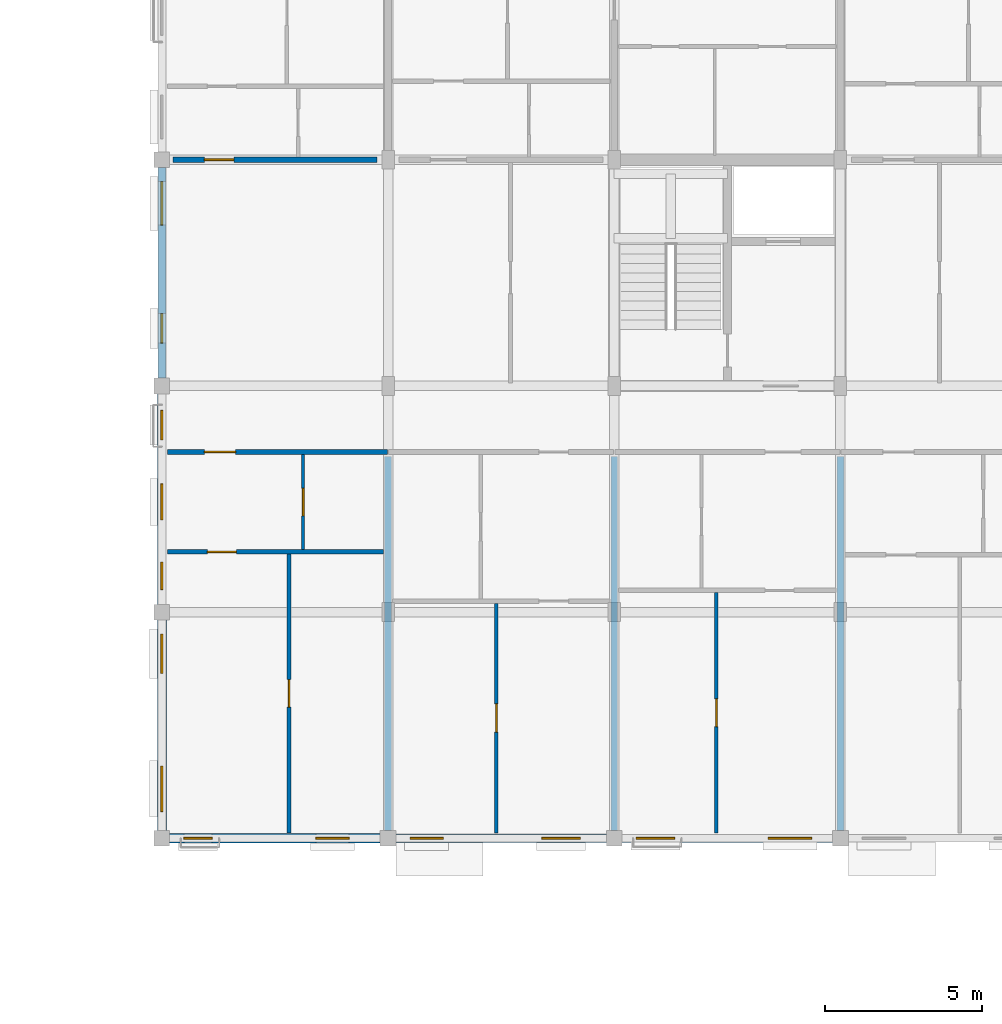
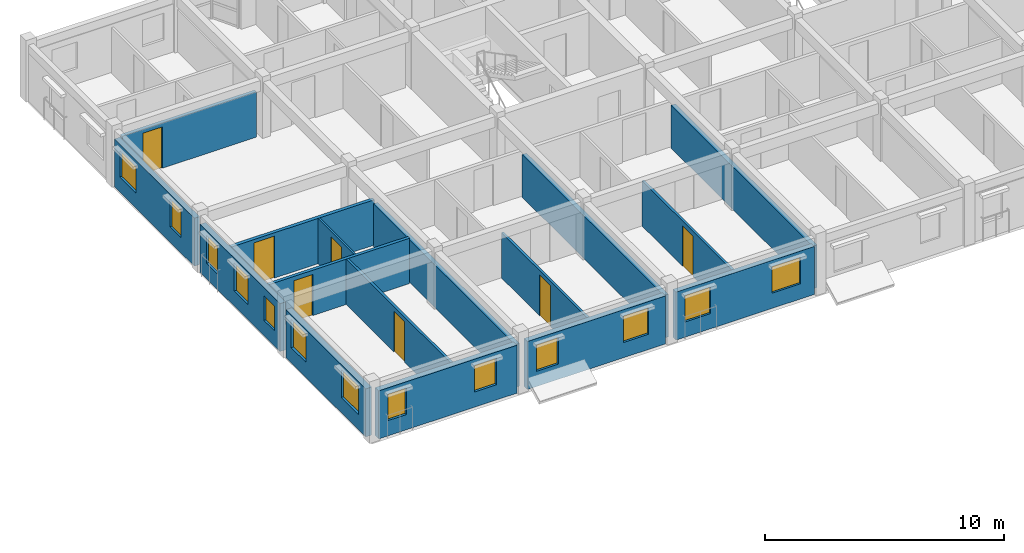
# One storey, part 26 of 38: 16 walls, 13 windows, 7 doors, 20 openings.
"""IFC4 building model written with IfcOpenShell, lengths in metres."""

from ifc_helpers import new_model, si_unit, direction, frame, frame_2d, origin, place, context, subcontext, project, spatial, rectangle, extrude, material, layer, layer_set, type_object, element, fill, save


model = new_model("IFC4")

# Units and contexts
model_context = context("Model", 3, precision=1e-05, world=origin(), true_north=direction((0.0, 1.0)))
body_context = subcontext(model_context, "Body", "Model", "MODEL_VIEW")
ifc_project = project(units=[si_unit("LENGTHUNIT", "METRE"), si_unit("AREAUNIT", "SQUARE_METRE"), si_unit("VOLUMEUNIT", "CUBIC_METRE"), si_unit("PLANEANGLEUNIT", "RADIAN"), si_unit("MASSUNIT", "GRAM", prefix="KILO"), si_unit("THERMODYNAMICTEMPERATUREUNIT", "KELVIN"), si_unit("POWERUNIT", "WATT")], contexts=[model_context])

# Site, building, storey
site_placement = place(None, origin())
site = spatial("IfcSite", under=ifc_project, at=site_placement, CompositionType="ELEMENT")
building_placement = place(site_placement, origin())
building = spatial("IfcBuilding", under=site, at=building_placement, Name="Tavuni Mirador Residences", CompositionType="ELEMENT")
storey_placement = place(building_placement, frame((0.0, 0.0, 32.85009765625)))
storey = spatial("IfcBuildingStorey", under=building, at=storey_placement, Name="L10", CompositionType="ELEMENT", Elevation=32.85009765625)

# Wall, opening, door
ifc_material_1 = material(Name="Precast concrete C40/50", Category="concrete")
ifc_layer_1 = layer(ifc_material_1, 0.1650390625, Name="Precast concrete C40/50", Category="concrete")
ifc_layer_set_1 = layer_set([ifc_layer_1], Name="Precast concrete C40/50")
wall_type_1 = type_object("IfcWallType", Name="WT-CORR165", PredefinedType="PARTITIONING", material=ifc_layer_set_1)
wall_1_placement = place(storey_placement, frame((10.97509765625, 156.300048828125, 0.0), z_axis=(0.0, 0.0, 1.0), x_axis=(1.0, 0.0, 0.0)))
wall_1 = element("IfcWall", 1, at=wall_1_placement, inside=storey, type_object=wall_type_1, Name="CORW-BLK-C-L10-0-00", PredefinedType="PARTITIONING", context=body_context, shape_type="SweptSolid", body=[
    extrude(rectangle(XDim=7.0048828125, YDim=0.1650390625, at=frame_2d((3.50244140625, 0.0))), origin(), (0.0, 0.0, 1.0), 2.31982421875),
])
opening_1_placement = place(wall_1_placement, frame((1.175048828125, 0.0, 0.0)))
opening_1 = element("IfcOpeningElement", 2, at=opening_1_placement, cuts=wall_1, Name="Opening D-03", PredefinedType="OPENING", context=body_context, shape_type="SweptSolid", body=[
    extrude(rectangle(XDim=1.0, YDim=2.14990234375, at=frame_2d((0.5, 1.074951171875))), frame((0.0, 0.092529296875, 0.0), z_axis=(0.0, -1.0, 0.0), x_axis=(1.0, 0.0, 0.0)), (0.0, 0.0, 1.0), 0.18505859375),
])
ifc_material_2 = material(Name="Solid core iroko timber", Category="wood")
door_type_1 = type_object("IfcDoorType", Name="DT-FD60-1000", OperationType="NOTDEFINED", PredefinedType="DOOR", material=ifc_material_2)
door_1_placement = place(opening_1_placement, origin())
door_1 = element("IfcDoor", 3, at=door_1_placement, inside=storey, type_object=door_type_1, Name="DR-2763", OperationType="SINGLE_SWING_RIGHT", OverallHeight=2.14990234375, OverallWidth=1.0, PredefinedType="DOOR", context=body_context, shape_type="SweptSolid", body=[
    extrude(rectangle(XDim=1.0, YDim=2.14990234375, at=frame_2d((0.5, 1.074951171875))), frame((0.0, 0.02490234375, 0.0), z_axis=(0.0, -1.0, 0.0), x_axis=(1.0, 0.0, 0.0)), (0.0, 0.0, 1.0), 0.050048828125),
])
fill(opening_1, door_1)

wall_2_placement = place(storey_placement, frame((11.14990234375, 165.60009765625, 0.0), z_axis=(0.0, 0.0, 1.0), x_axis=(1.0, 0.0, 0.0)))
wall_2 = element("IfcWall", 4, at=wall_2_placement, inside=storey, type_object=wall_type_1, Name="CORW-BLK-C-L10-1-00", PredefinedType="PARTITIONING", context=body_context, shape_type="SweptSolid", body=[
    extrude(rectangle(XDim=6.5, YDim=0.1650390625, at=frame_2d((3.25, 0.0))), origin(), (0.0, 0.0, 1.0), 2.31982421875),
])
opening_2_placement = place(wall_2_placement, frame((1.0, 0.0, 0.0)))
opening_2 = element("IfcOpeningElement", 5, at=opening_2_placement, cuts=wall_2, Name="Opening D-19", PredefinedType="OPENING", context=body_context, shape_type="SweptSolid", body=[
    extrude(rectangle(XDim=0.93994140625, YDim=2.1201171875, at=frame_2d((0.469970703125, 1.06005859375))), frame((0.0, 0.092529296875, 0.0), z_axis=(0.0, -1.0, 0.0), x_axis=(1.0, 0.0, 0.0)), (0.0, 0.0, 1.0), 0.18505859375),
])
door_type_2 = type_object("IfcDoorType", Name="DT-FD60-940", OperationType="NOTDEFINED", PredefinedType="DOOR", material=ifc_material_2)
door_2_placement = place(opening_2_placement, origin())
door_2 = element("IfcDoor", 6, at=door_2_placement, inside=storey, type_object=door_type_2, Name="DR-2770", OperationType="SINGLE_SWING_LEFT", OverallHeight=2.1201171875, OverallWidth=0.93994140625, PredefinedType="DOOR", context=body_context, shape_type="SweptSolid", body=[
    extrude(rectangle(XDim=0.93994140625, YDim=2.1201171875, at=frame_2d((0.469970703125, 1.06005859375))), frame((0.0, 0.02490234375, 0.0), z_axis=(0.0, -1.0, 0.0), x_axis=(1.0, 0.0, 0.0)), (0.0, 0.0, 1.0), 0.050048828125),
])
fill(opening_2, door_2)

# Wall, openings, windows
ifc_material_3 = material(Name="Sgraffito lime-rendered precast concrete C40/50", Category="concrete")
ifc_layer_2 = layer(ifc_material_3, 0.2548828125, Name="Sgraffito lime-rendered precast concrete C40/50", Category="concrete")
ifc_layer_set_2 = layer_set([ifc_layer_2], Name="Sgraffito lime-rendered precast concrete C40/50")
wall_type_2 = type_object("IfcWallType", Name="WT-EXT-PC255", PredefinedType="SOLIDWALL", material=ifc_layer_set_2)
wall_3_placement = place(storey_placement, frame((25.449951171875, 144.0, 0.0), z_axis=(0.0, 0.0, 1.0), x_axis=(1.0, 0.0, 0.0)))
wall_3 = element("IfcWall", 7, at=wall_3_placement, inside=storey, type_object=wall_type_2, Name="EW-BLK-C-L10-S02", PredefinedType="SOLIDWALL", context=body_context, shape_type="SweptSolid", body=[
    extrude(rectangle(XDim=6.699951171875, YDim=0.2548828125, at=frame_2d((3.35009765625, 0.0))), origin(), (0.0, 0.0, 1.0), 2.454833984375),
])
opening_3_placement = place(wall_3_placement, frame((0.449951171875, 0.0, 0.780029296875)))
opening_3 = element("IfcOpeningElement", 8, at=opening_3_placement, cuts=wall_3, Name="Opening WN-21", PredefinedType="OPENING", context=body_context, shape_type="SweptSolid", body=[
    extrude(rectangle(XDim=1.219970703125, YDim=1.360107421875, at=frame_2d((0.60986328125, 0.68017578125))), frame((0.0, 0.137451171875, 0.0), z_axis=(0.0, -1.0, 0.0), x_axis=(1.0, 0.0, 0.0)), (0.0, 0.0, 1.0), 0.27490234375),
])
opening_4_placement = place(wall_3_placement, frame((4.64990234375, 0.0, 0.780029296875)))
opening_4 = element("IfcOpeningElement", 9, at=opening_4_placement, cuts=wall_3, Name="Opening WN-23", PredefinedType="OPENING", context=body_context, shape_type="SweptSolid", body=[
    extrude(rectangle(XDim=1.3798828125, YDim=1.360107421875, at=frame_2d((0.68994140625, 0.68017578125))), frame((0.0, 0.137451171875, 0.0), z_axis=(0.0, -1.0, 0.0), x_axis=(1.0, 0.0, 0.0)), (0.0, 0.0, 1.0), 0.27490234375),
])
ifc_material_4 = material(Name="Laminated solar-control glass", Category="glass")
window_type_1 = type_object("IfcWindowType", Name="WNT-21", PartitioningType="SINGLE_PANEL", PredefinedType="WINDOW", material=ifc_material_4)
window_1_placement = place(opening_3_placement, origin())
window_1 = element("IfcWindow", 10, at=window_1_placement, inside=storey, type_object=window_type_1, Name="WIN-1270", OverallHeight=1.360107421875, OverallWidth=1.219970703125, PartitioningType="SINGLE_PANEL", PredefinedType="WINDOW", context=body_context, shape_type="SweptSolid", body=[
    extrude(rectangle(XDim=1.219970703125, YDim=1.360107421875, at=frame_2d((0.60986328125, 0.68017578125))), frame((0.0, 0.030029296875, 0.0), z_axis=(0.0, -1.0, 0.0), x_axis=(1.0, 0.0, 0.0)), (0.0, 0.0, 1.0), 0.06005859375),
])
fill(opening_3, window_1)
window_type_2 = type_object("IfcWindowType", Name="WNT-23", PartitioningType="SINGLE_PANEL", PredefinedType="WINDOW", material=ifc_material_4)
window_2_placement = place(opening_4_placement, origin())
window_2 = element("IfcWindow", 11, at=window_2_placement, inside=storey, type_object=window_type_2, Name="WIN-1271", OverallHeight=1.360107421875, OverallWidth=1.3798828125, PartitioningType="SINGLE_PANEL", PredefinedType="WINDOW", context=body_context, shape_type="SweptSolid", body=[
    extrude(rectangle(XDim=1.3798828125, YDim=1.360107421875, at=frame_2d((0.68994140625, 0.68017578125))), frame((0.0, 0.030029296875, 0.0), z_axis=(0.0, -1.0, 0.0), x_axis=(1.0, 0.0, 0.0)), (0.0, 0.0, 1.0), 0.06005859375),
])
fill(opening_4, window_2)

wall_4_placement = place(storey_placement, frame((10.800048828125, 165.35009765625, 0.0), z_axis=(0.0, 0.0, 1.0), x_axis=(0.0, -1.0, 0.0)))
wall_4 = element("IfcWall", 12, at=wall_4_placement, inside=storey, type_object=wall_type_2, Name="EW-BLK-C-L10-W02", PredefinedType="SOLIDWALL", context=body_context, shape_type="SweptSolid", body=[
    extrude(rectangle(XDim=6.7001953125, YDim=0.2548828125, at=frame_2d((3.35009765625, 0.0))), origin(), (0.0, 0.0, 1.0), 2.454833984375),
])
opening_5_placement = place(wall_4_placement, frame((0.449951171875, 0.0, 0.780029296875)))
opening_5 = element("IfcOpeningElement", 13, at=opening_5_placement, cuts=wall_4, Name="Opening WN-23", PredefinedType="OPENING", context=body_context, shape_type="SweptSolid", body=[
    extrude(rectangle(XDim=1.3798828125, YDim=1.360107421875, at=frame_2d((0.68994140625, 0.68017578125))), frame((0.0, 0.137451171875, 0.0), z_axis=(0.0, -1.0, 0.0), x_axis=(1.0, 0.0, 0.0)), (0.0, 0.0, 1.0), 0.27490234375),
])
opening_6_placement = place(wall_4_placement, frame((4.64990234375, 0.0, 0.780029296875)))
opening_6 = element("IfcOpeningElement", 14, at=opening_6_placement, cuts=wall_4, Name="Opening WN-25", PredefinedType="OPENING", context=body_context, shape_type="SweptSolid", body=[
    extrude(rectangle(XDim=0.93994140625, YDim=1.43994140625, at=frame_2d((0.469970703125, 0.719970703125))), frame((0.0, 0.137451171875, 0.0), z_axis=(0.0, -1.0, 0.0), x_axis=(1.0, 0.0, 0.0)), (0.0, 0.0, 1.0), 0.27490234375),
])
window_3_placement = place(opening_5_placement, origin())
window_3 = element("IfcWindow", 15, at=window_3_placement, inside=storey, type_object=window_type_2, Name="WIN-1302", OverallHeight=1.360107421875, OverallWidth=1.3798828125, PartitioningType="SINGLE_PANEL", PredefinedType="WINDOW", context=body_context, shape_type="SweptSolid", body=[
    extrude(rectangle(XDim=1.3798828125, YDim=1.360107421875, at=frame_2d((0.68994140625, 0.68017578125))), frame((0.0, 0.030029296875, 0.0), z_axis=(0.0, -1.0, 0.0), x_axis=(1.0, 0.0, 0.0)), (0.0, 0.0, 1.0), 0.06005859375),
])
fill(opening_5, window_3)
window_type_3 = type_object("IfcWindowType", Name="WNT-25", PartitioningType="SINGLE_PANEL", PredefinedType="WINDOW", material=ifc_material_4)
window_4_placement = place(opening_6_placement, origin())
window_4 = element("IfcWindow", 16, at=window_4_placement, inside=storey, type_object=window_type_3, Name="WIN-1303", OverallHeight=1.43994140625, OverallWidth=0.93994140625, PartitioningType="SINGLE_PANEL", PredefinedType="WINDOW", context=body_context, shape_type="SweptSolid", body=[
    extrude(rectangle(XDim=0.93994140625, YDim=1.43994140625, at=frame_2d((0.469970703125, 0.719970703125))), frame((0.0, 0.030029296875, 0.0), z_axis=(0.0, -1.0, 0.0), x_axis=(1.0, 0.0, 0.0)), (0.0, 0.0, 1.0), 0.06005859375),
])
fill(opening_6, window_4)

ifc_layer_3 = layer(ifc_material_3, 0.27490234375, Name="Sgraffito lime-rendered precast concrete C40/50", Category="concrete")
ifc_layer_set_3 = layer_set([ifc_layer_3], Name="Sgraffito lime-rendered precast concrete C40/50")
wall_type_3 = type_object("IfcWallType", Name="WT-EXT-PC275", PredefinedType="SOLIDWALL", material=ifc_layer_set_3)
wall_5_placement = place(storey_placement, frame((18.25, 144.0, 0.0), z_axis=(0.0, 0.0, 1.0), x_axis=(1.0, 0.0, 0.0)))
wall_5 = element("IfcWall", 17, at=wall_5_placement, inside=storey, type_object=wall_type_3, Name="EW-BLK-C-L10-S01", PredefinedType="SOLIDWALL", context=body_context, shape_type="SweptSolid", body=[
    extrude(rectangle(XDim=6.699951171875, YDim=0.27490234375, at=frame_2d((3.35009765625, 0.0))), origin(), (0.0, 0.0, 1.0), 2.454833984375),
])
opening_7_placement = place(wall_5_placement, frame((0.449951171875, 0.0, 0.780029296875)))
opening_7 = element("IfcOpeningElement", 18, at=opening_7_placement, cuts=wall_5, Name="Opening WN-19", PredefinedType="OPENING", context=body_context, shape_type="SweptSolid", body=[
    extrude(rectangle(XDim=1.06005859375, YDim=1.360107421875, at=frame_2d((0.530029296875, 0.68017578125))), frame((0.0, 0.1474609375, 0.0), z_axis=(0.0, -1.0, 0.0), x_axis=(1.0, 0.0, 0.0)), (0.0, 0.0, 1.0), 0.294921875),
])
opening_8_placement = place(wall_5_placement, frame((4.64990234375, 0.0, 0.780029296875)))
opening_8 = element("IfcOpeningElement", 19, at=opening_8_placement, cuts=wall_5, Name="Opening WN-21", PredefinedType="OPENING", context=body_context, shape_type="SweptSolid", body=[
    extrude(rectangle(XDim=1.219970703125, YDim=1.360107421875, at=frame_2d((0.60986328125, 0.68017578125))), frame((0.0, 0.1474609375, 0.0), z_axis=(0.0, -1.0, 0.0), x_axis=(1.0, 0.0, 0.0)), (0.0, 0.0, 1.0), 0.294921875),
])
window_type_4 = type_object("IfcWindowType", Name="WNT-19", PartitioningType="SINGLE_PANEL", PredefinedType="WINDOW", material=ifc_material_4)
window_5_placement = place(opening_7_placement, origin())
window_5 = element("IfcWindow", 20, at=window_5_placement, inside=storey, type_object=window_type_4, Name="WIN-1268", OverallHeight=1.360107421875, OverallWidth=1.06005859375, PartitioningType="SINGLE_PANEL", PredefinedType="WINDOW", context=body_context, shape_type="SweptSolid", body=[
    extrude(rectangle(XDim=1.06005859375, YDim=1.360107421875, at=frame_2d((0.530029296875, 0.68017578125))), frame((0.0, 0.030029296875, 0.0), z_axis=(0.0, -1.0, 0.0), x_axis=(1.0, 0.0, 0.0)), (0.0, 0.0, 1.0), 0.06005859375),
])
fill(opening_7, window_5)
window_6_placement = place(opening_8_placement, origin())
window_6 = element("IfcWindow", 21, at=window_6_placement, inside=storey, type_object=window_type_1, Name="WIN-1269", OverallHeight=1.360107421875, OverallWidth=1.219970703125, PartitioningType="SINGLE_PANEL", PredefinedType="WINDOW", context=body_context, shape_type="SweptSolid", body=[
    extrude(rectangle(XDim=1.219970703125, YDim=1.360107421875, at=frame_2d((0.60986328125, 0.68017578125))), frame((0.0, 0.030029296875, 0.0), z_axis=(0.0, -1.0, 0.0), x_axis=(1.0, 0.0, 0.0)), (0.0, 0.0, 1.0), 0.06005859375),
])
fill(opening_8, window_6)

wall_6_placement = place(storey_placement, frame((10.800048828125, 158.14990234375, 0.0), z_axis=(0.0, 0.0, 1.0), x_axis=(0.0, -1.0, 0.0)))
wall_6 = element("IfcWall", 22, at=wall_6_placement, inside=storey, type_object=wall_type_3, Name="EW-BLK-C-L10-W01", PredefinedType="SOLIDWALL", context=body_context, shape_type="SweptSolid", body=[
    extrude(rectangle(XDim=6.699951171875, YDim=0.27490234375, at=frame_2d((3.35009765625, 0.0))), origin(), (0.0, 0.0, 1.0), 2.454833984375),
])
opening_9_placement = place(wall_6_placement, frame((0.52490234375, 0.0, 0.780029296875)))
opening_9 = element("IfcOpeningElement", 23, at=opening_9_placement, cuts=wall_6, Name="Opening WN-25", PredefinedType="OPENING", context=body_context, shape_type="SweptSolid", body=[
    extrude(rectangle(XDim=0.93994140625, YDim=1.43994140625, at=frame_2d((0.469970703125, 0.719970703125))), frame((0.0, 0.1474609375, 0.0), z_axis=(0.0, -1.0, 0.0), x_axis=(1.0, 0.0, 0.0)), (0.0, 0.0, 1.0), 0.294921875),
])
opening_10_placement = place(wall_6_placement, frame((2.864990234375, 0.0, 0.780029296875)))
opening_10 = element("IfcOpeningElement", 24, at=opening_10_placement, cuts=wall_6, Name="Opening WN-27", PredefinedType="OPENING", context=body_context, shape_type="SweptSolid", body=[
    extrude(rectangle(XDim=1.14990234375, YDim=1.43994140625, at=frame_2d((0.574951171875, 0.719970703125))), frame((0.0, 0.1474609375, 0.0), z_axis=(0.0, -1.0, 0.0), x_axis=(1.0, 0.0, 0.0)), (0.0, 0.0, 1.0), 0.294921875),
])
opening_11_placement = place(wall_6_placement, frame((5.35498046875, 0.0, 0.780029296875)))
opening_11 = element("IfcOpeningElement", 25, at=opening_11_placement, cuts=wall_6, Name="Opening WN-09", PredefinedType="OPENING", context=body_context, shape_type="SweptSolid", body=[
    extrude(rectangle(XDim=0.8798828125, YDim=1.260009765625, at=frame_2d((0.43994140625, 0.6298828125))), frame((0.0, 0.1474609375, 0.0), z_axis=(0.0, -1.0, 0.0), x_axis=(1.0, 0.0, 0.0)), (0.0, 0.0, 1.0), 0.294921875),
])
window_type_5 = type_object("IfcWindowType", Name="WNT-09", PartitioningType="SINGLE_PANEL", PredefinedType="WINDOW", material=ifc_material_4)
window_7_placement = place(opening_11_placement, origin())
window_7 = element("IfcWindow", 26, at=window_7_placement, inside=storey, type_object=window_type_5, Name="WIN-1306", OverallHeight=1.260009765625, OverallWidth=0.8798828125, PartitioningType="SINGLE_PANEL", PredefinedType="WINDOW", context=body_context, shape_type="SweptSolid", body=[
    extrude(rectangle(XDim=0.8798828125, YDim=1.260009765625, at=frame_2d((0.43994140625, 0.6298828125))), frame((0.0, 0.030029296875, 0.0), z_axis=(0.0, -1.0, 0.0), x_axis=(1.0, 0.0, 0.0)), (0.0, 0.0, 1.0), 0.06005859375),
])
fill(opening_11, window_7)
window_8_placement = place(opening_9_placement, origin())
window_8 = element("IfcWindow", 27, at=window_8_placement, inside=storey, type_object=window_type_3, Name="WIN-1304", OverallHeight=1.43994140625, OverallWidth=0.93994140625, PartitioningType="SINGLE_PANEL", PredefinedType="WINDOW", context=body_context, shape_type="SweptSolid", body=[
    extrude(rectangle(XDim=0.93994140625, YDim=1.43994140625, at=frame_2d((0.469970703125, 0.719970703125))), frame((0.0, 0.030029296875, 0.0), z_axis=(0.0, -1.0, 0.0), x_axis=(1.0, 0.0, 0.0)), (0.0, 0.0, 1.0), 0.06005859375),
])
fill(opening_9, window_8)
window_type_6 = type_object("IfcWindowType", Name="WNT-27", PartitioningType="SINGLE_PANEL", PredefinedType="WINDOW", material=ifc_material_4)
window_9_placement = place(opening_10_placement, origin())
window_9 = element("IfcWindow", 28, at=window_9_placement, inside=storey, type_object=window_type_6, Name="WIN-1305", OverallHeight=1.43994140625, OverallWidth=1.14990234375, PartitioningType="SINGLE_PANEL", PredefinedType="WINDOW", context=body_context, shape_type="SweptSolid", body=[
    extrude(rectangle(XDim=1.14990234375, YDim=1.43994140625, at=frame_2d((0.574951171875, 0.719970703125))), frame((0.0, 0.030029296875, 0.0), z_axis=(0.0, -1.0, 0.0), x_axis=(1.0, 0.0, 0.0)), (0.0, 0.0, 1.0), 0.06005859375),
])
fill(opening_10, window_9)

ifc_layer_4 = layer(ifc_material_3, 0.2900390625, Name="Sgraffito lime-rendered precast concrete C40/50", Category="concrete")
ifc_layer_set_4 = layer_set([ifc_layer_4], Name="Sgraffito lime-rendered precast concrete C40/50")
wall_type_4 = type_object("IfcWallType", Name="WT-EXT-PC290", PredefinedType="SOLIDWALL", material=ifc_layer_set_4)
wall_7_placement = place(storey_placement, frame((11.050048828125, 144.0, 0.0), z_axis=(0.0, 0.0, 1.0), x_axis=(1.0, 0.0, 0.0)))
wall_7 = element("IfcWall", 29, at=wall_7_placement, inside=storey, type_object=wall_type_4, Name="EW-BLK-C-L10-S00", PredefinedType="SOLIDWALL", context=body_context, shape_type="SweptSolid", body=[
    extrude(rectangle(XDim=6.699951171875, YDim=0.2900390625, at=frame_2d((3.35009765625, 0.0))), origin(), (0.0, 0.0, 1.0), 2.454833984375),
])
opening_12_placement = place(wall_7_placement, frame((0.449951171875, 0.0, 0.780029296875)))
opening_12 = element("IfcOpeningElement", 30, at=opening_12_placement, cuts=wall_7, Name="Opening WN-17", PredefinedType="OPENING", context=body_context, shape_type="SweptSolid", body=[
    extrude(rectangle(XDim=0.89990234375, YDim=1.360107421875, at=frame_2d((0.449951171875, 0.68017578125))), frame((0.0, 0.155029296875, 0.0), z_axis=(0.0, -1.0, 0.0), x_axis=(1.0, 0.0, 0.0)), (0.0, 0.0, 1.0), 0.31005859375),
])
opening_13_placement = place(wall_7_placement, frame((4.64990234375, 0.0, 0.780029296875)))
opening_13 = element("IfcOpeningElement", 31, at=opening_13_placement, cuts=wall_7, Name="Opening WN-19", PredefinedType="OPENING", context=body_context, shape_type="SweptSolid", body=[
    extrude(rectangle(XDim=1.06005859375, YDim=1.360107421875, at=frame_2d((0.530029296875, 0.68017578125))), frame((0.0, 0.155029296875, 0.0), z_axis=(0.0, -1.0, 0.0), x_axis=(1.0, 0.0, 0.0)), (0.0, 0.0, 1.0), 0.31005859375),
])
window_type_7 = type_object("IfcWindowType", Name="WNT-17", PartitioningType="SINGLE_PANEL", PredefinedType="WINDOW", material=ifc_material_4)
window_10_placement = place(opening_12_placement, origin())
window_10 = element("IfcWindow", 32, at=window_10_placement, inside=storey, type_object=window_type_7, Name="WIN-1266", OverallHeight=1.360107421875, OverallWidth=0.89990234375, PartitioningType="SINGLE_PANEL", PredefinedType="WINDOW", context=body_context, shape_type="SweptSolid", body=[
    extrude(rectangle(XDim=0.89990234375, YDim=1.360107421875, at=frame_2d((0.449951171875, 0.68017578125))), frame((0.0, 0.030029296875, 0.0), z_axis=(0.0, -1.0, 0.0), x_axis=(1.0, 0.0, 0.0)), (0.0, 0.0, 1.0), 0.06005859375),
])
fill(opening_12, window_10)
window_11_placement = place(opening_13_placement, origin())
window_11 = element("IfcWindow", 33, at=window_11_placement, inside=storey, type_object=window_type_4, Name="WIN-1267", OverallHeight=1.360107421875, OverallWidth=1.06005859375, PartitioningType="SINGLE_PANEL", PredefinedType="WINDOW", context=body_context, shape_type="SweptSolid", body=[
    extrude(rectangle(XDim=1.06005859375, YDim=1.360107421875, at=frame_2d((0.530029296875, 0.68017578125))), frame((0.0, 0.030029296875, 0.0), z_axis=(0.0, -1.0, 0.0), x_axis=(1.0, 0.0, 0.0)), (0.0, 0.0, 1.0), 0.06005859375),
])
fill(opening_13, window_11)

wall_8_placement = place(storey_placement, frame((10.800048828125, 150.949951171875, 0.0), z_axis=(0.0, 0.0, 1.0), x_axis=(0.0, -1.0, 0.0)))
wall_8 = element("IfcWall", 34, at=wall_8_placement, inside=storey, type_object=wall_type_4, Name="EW-BLK-C-L10-W00", PredefinedType="SOLIDWALL", context=body_context, shape_type="SweptSolid", body=[
    extrude(rectangle(XDim=6.699951171875, YDim=0.2900390625, at=frame_2d((3.35009765625, 0.0))), origin(), (0.0, 0.0, 1.0), 2.454833984375),
])
opening_14_placement = place(wall_8_placement, frame((0.449951171875, 0.0, 0.780029296875)))
opening_14 = element("IfcOpeningElement", 35, at=opening_14_placement, cuts=wall_8, Name="Opening WN-28", PredefinedType="OPENING", context=body_context, shape_type="SweptSolid", body=[
    extrude(rectangle(XDim=1.25, YDim=1.43994140625, at=frame_2d((0.625, 0.719970703125))), frame((0.0, 0.155029296875, 0.0), z_axis=(0.0, -1.0, 0.0), x_axis=(1.0, 0.0, 0.0)), (0.0, 0.0, 1.0), 0.31005859375),
])
opening_15_placement = place(wall_8_placement, frame((4.64990234375, 0.0, 0.780029296875)))
opening_15 = element("IfcOpeningElement", 36, at=opening_15_placement, cuts=wall_8, Name="Opening WN-30", PredefinedType="OPENING", context=body_context, shape_type="SweptSolid", body=[
    extrude(rectangle(XDim=1.449951171875, YDim=1.43994140625, at=frame_2d((0.72509765625, 0.719970703125))), frame((0.0, 0.155029296875, 0.0), z_axis=(0.0, -1.0, 0.0), x_axis=(1.0, 0.0, 0.0)), (0.0, 0.0, 1.0), 0.31005859375),
])
window_type_8 = type_object("IfcWindowType", Name="WNT-28", PartitioningType="SINGLE_PANEL", PredefinedType="WINDOW", material=ifc_material_4)
window_12_placement = place(opening_14_placement, origin())
window_12 = element("IfcWindow", 37, at=window_12_placement, inside=storey, type_object=window_type_8, Name="WIN-1307", OverallHeight=1.43994140625, OverallWidth=1.25, PartitioningType="SINGLE_PANEL", PredefinedType="WINDOW", context=body_context, shape_type="SweptSolid", body=[
    extrude(rectangle(XDim=1.25, YDim=1.43994140625, at=frame_2d((0.625, 0.719970703125))), frame((0.0, 0.030029296875, 0.0), z_axis=(0.0, -1.0, 0.0), x_axis=(1.0, 0.0, 0.0)), (0.0, 0.0, 1.0), 0.06005859375),
])
fill(opening_14, window_12)
window_type_9 = type_object("IfcWindowType", Name="WNT-30", PartitioningType="SINGLE_PANEL", PredefinedType="WINDOW", material=ifc_material_4)
window_13_placement = place(opening_15_placement, origin())
window_13 = element("IfcWindow", 38, at=window_13_placement, inside=storey, type_object=window_type_9, Name="WIN-1308", OverallHeight=1.43994140625, OverallWidth=1.449951171875, PartitioningType="SINGLE_PANEL", PredefinedType="WINDOW", context=body_context, shape_type="SweptSolid", body=[
    extrude(rectangle(XDim=1.449951171875, YDim=1.43994140625, at=frame_2d((0.72509765625, 0.719970703125))), frame((0.0, 0.030029296875, 0.0), z_axis=(0.0, -1.0, 0.0), x_axis=(1.0, 0.0, 0.0)), (0.0, 0.0, 1.0), 0.06005859375),
])
fill(opening_15, window_13)

# Wall, opening, door
ifc_material_5 = material(Name="Acoustic gypsum and concrete block partition", Category="concrete")
ifc_layer_5 = layer(ifc_material_5, 0.094970703125, Name="Acoustic gypsum and concrete block partition", Category="concrete")
ifc_layer_set_5 = layer_set([ifc_layer_5], Name="Acoustic gypsum and concrete block partition")
wall_type_5 = type_object("IfcWallType", Name="WT-PART095", PredefinedType="PARTITIONING", material=ifc_layer_set_5)
wall_9_placement = place(storey_placement, frame((15.300048828125, 153.18994140625, 0.0), z_axis=(0.0, 0.0, 1.0), x_axis=(0.0, 1.0, 0.0)))
wall_9 = element("IfcWall", 39, at=wall_9_placement, inside=storey, type_object=wall_type_5, Name="PW-BLK-C-L10-S00-IN1", PredefinedType="PARTITIONING", context=body_context, shape_type="SweptSolid", body=[
    extrude(rectangle(XDim=3.02001953125, YDim=0.094970703125, at=frame_2d((1.510009765625, 0.0))), origin(), (0.0, 0.0, 1.0), 2.31982421875),
])
opening_16_placement = place(wall_9_placement, frame((1.074951171875, 0.0, 0.0)))
opening_16 = element("IfcOpeningElement", 40, at=opening_16_placement, cuts=wall_9, Name="Opening D-10", PredefinedType="OPENING", context=body_context, shape_type="SweptSolid", body=[
    extrude(rectangle(XDim=0.8701171875, YDim=2.050048828125, at=frame_2d((0.43505859375, 1.02490234375))), frame((0.0, 0.0576171875, 0.0), z_axis=(0.0, -1.0, 0.0), x_axis=(1.0, 0.0, 0.0)), (0.0, 0.0, 1.0), 0.114990234375),
])
door_type_3 = type_object("IfcDoorType", Name="DT-WC870", OperationType="NOTDEFINED", PredefinedType="DOOR", material=ifc_material_2)
door_3_placement = place(opening_16_placement, origin())
door_3 = element("IfcDoor", 41, at=door_3_placement, inside=storey, type_object=door_type_3, Name="DR-4156", OperationType="SINGLE_SWING_RIGHT", OverallHeight=2.050048828125, OverallWidth=0.8701171875, PredefinedType="DOOR", context=body_context, shape_type="SweptSolid", body=[
    extrude(rectangle(XDim=0.8701171875, YDim=2.050048828125, at=frame_2d((0.43505859375, 1.02490234375))), frame((0.0, 0.02490234375, 0.0), z_axis=(0.0, -1.0, 0.0), x_axis=(1.0, 0.0, 0.0)), (0.0, 0.0, 1.0), 0.050048828125),
])
fill(opening_16, door_3)

ifc_layer_6 = layer(ifc_material_5, 0.114990234375, Name="Acoustic gypsum and concrete block partition", Category="concrete")
ifc_layer_set_6 = layer_set([ifc_layer_6], Name="Acoustic gypsum and concrete block partition")
wall_type_6 = type_object("IfcWallType", Name="WT-PART115", PredefinedType="PARTITIONING", material=ifc_layer_set_6)
wall_10_placement = place(storey_placement, frame((21.449951171875, 144.175048828125, 0.0), z_axis=(0.0, 0.0, 1.0), x_axis=(0.0, 1.0, 0.0)))
wall_10 = element("IfcWall", 42, at=wall_10_placement, inside=storey, type_object=wall_type_6, Name="PW-BLK-C-L10-S01-OUT", PredefinedType="PARTITIONING", context=body_context, shape_type="SweptSolid", body=[
    extrude(rectangle(XDim=7.304931640625, YDim=0.114990234375, at=frame_2d((3.65234375, 0.0))), origin(), (0.0, 0.0, 1.0), 2.31982421875),
])
opening_17_placement = place(wall_10_placement, frame((3.202392578125, 0.0, 0.0)))
opening_17 = element("IfcOpeningElement", 43, at=opening_17_placement, cuts=wall_10, Name="Opening D-07", PredefinedType="OPENING", context=body_context, shape_type="SweptSolid", body=[
    extrude(rectangle(XDim=0.89990234375, YDim=2.10009765625, at=frame_2d((0.449951171875, 1.050048828125))), frame((0.0, 0.0673828125, 0.0), z_axis=(0.0, -1.0, 0.0), x_axis=(1.0, 0.0, 0.0)), (0.0, 0.0, 1.0), 0.135009765625),
])
door_type_4 = type_object("IfcDoorType", Name="DT-BED900", OperationType="NOTDEFINED", PredefinedType="DOOR", material=ifc_material_2)
door_4_placement = place(opening_17_placement, origin())
door_4 = element("IfcDoor", 44, at=door_4_placement, inside=storey, type_object=door_type_4, Name="DR-4162", OperationType="SINGLE_SWING_RIGHT", OverallHeight=2.10009765625, OverallWidth=0.89990234375, PredefinedType="DOOR", context=body_context, shape_type="SweptSolid", body=[
    extrude(rectangle(XDim=0.89990234375, YDim=2.10009765625, at=frame_2d((0.449951171875, 1.050048828125))), frame((0.0, 0.02490234375, 0.0), z_axis=(0.0, -1.0, 0.0), x_axis=(1.0, 0.0, 0.0)), (0.0, 0.0, 1.0), 0.050048828125),
])
fill(opening_17, door_4)

wall_11_placement = place(storey_placement, frame((28.449951171875, 144.175048828125, 0.0), z_axis=(0.0, 0.0, 1.0), x_axis=(0.0, 1.0, 0.0)))
wall_11 = element("IfcWall", 45, at=wall_11_placement, inside=storey, type_object=wall_type_6, Name="PW-BLK-C-L10-S02-OUT", PredefinedType="PARTITIONING", context=body_context, shape_type="SweptSolid", body=[
    extrude(rectangle(XDim=7.64501953125, YDim=0.114990234375, at=frame_2d((3.822509765625, 0.0))), origin(), (0.0, 0.0, 1.0), 2.31982421875),
])
opening_18_placement = place(wall_11_placement, frame((3.382568359375, 0.0, 0.0)))
opening_18 = element("IfcOpeningElement", 46, at=opening_18_placement, cuts=wall_11, Name="Opening D-08", PredefinedType="OPENING", context=body_context, shape_type="SweptSolid", body=[
    extrude(rectangle(XDim=0.8798828125, YDim=2.080078125, at=frame_2d((0.43994140625, 1.0400390625))), frame((0.0, 0.0673828125, 0.0), z_axis=(0.0, -1.0, 0.0), x_axis=(1.0, 0.0, 0.0)), (0.0, 0.0, 1.0), 0.135009765625),
])
door_type_5 = type_object("IfcDoorType", Name="DT-BED880", OperationType="NOTDEFINED", PredefinedType="DOOR", material=ifc_material_2)
door_5_placement = place(opening_18_placement, origin())
door_5 = element("IfcDoor", 47, at=door_5_placement, inside=storey, type_object=door_type_5, Name="DR-4168", OperationType="SINGLE_SWING_LEFT", OverallHeight=2.080078125, OverallWidth=0.8798828125, PredefinedType="DOOR", context=body_context, shape_type="SweptSolid", body=[
    extrude(rectangle(XDim=0.8798828125, YDim=2.080078125, at=frame_2d((0.43994140625, 1.0400390625))), frame((0.0, 0.02490234375, 0.0), z_axis=(0.0, -1.0, 0.0), x_axis=(1.0, 0.0, 0.0)), (0.0, 0.0, 1.0), 0.050048828125),
])
fill(opening_18, door_5)

ifc_layer_7 = layer(ifc_material_5, 0.125, Name="Acoustic gypsum and concrete block partition", Category="concrete")
ifc_layer_set_7 = layer_set([ifc_layer_7], Name="Acoustic gypsum and concrete block partition")
wall_type_7 = type_object("IfcWallType", Name="WT-PART125", PredefinedType="PARTITIONING", material=ifc_layer_set_7)
wall_12_placement = place(storey_placement, frame((14.85009765625, 144.175048828125, 0.0), z_axis=(0.0, 0.0, 1.0), x_axis=(0.0, 1.0, 0.0)))
wall_12 = element("IfcWall", 48, at=wall_12_placement, inside=storey, type_object=wall_type_7, Name="PW-BLK-C-L10-S00-OUT", PredefinedType="PARTITIONING", context=body_context, shape_type="SweptSolid", body=[
    extrude(rectangle(XDim=8.875, YDim=0.125, at=frame_2d((4.4375, 0.0))), origin(), (0.0, 0.0, 1.0), 2.31982421875),
])
opening_19_placement = place(wall_12_placement, frame((3.99755859375, 0.0, 0.0)))
opening_19 = element("IfcOpeningElement", 49, at=opening_19_placement, cuts=wall_12, Name="Opening D-08", PredefinedType="OPENING", context=body_context, shape_type="SweptSolid", body=[
    extrude(rectangle(XDim=0.8798828125, YDim=2.080078125, at=frame_2d((0.43994140625, 1.0400390625))), frame((0.0, 0.072509765625, 0.0), z_axis=(0.0, -1.0, 0.0), x_axis=(1.0, 0.0, 0.0)), (0.0, 0.0, 1.0), 0.14501953125),
])
door_6_placement = place(opening_19_placement, origin())
door_6 = element("IfcDoor", 50, at=door_6_placement, inside=storey, type_object=door_type_5, Name="DR-4155", OperationType="SINGLE_SWING_LEFT", OverallHeight=2.080078125, OverallWidth=0.8798828125, PredefinedType="DOOR", context=body_context, shape_type="SweptSolid", body=[
    extrude(rectangle(XDim=0.8798828125, YDim=2.080078125, at=frame_2d((0.43994140625, 1.0400390625))), frame((0.0, 0.02490234375, 0.0), z_axis=(0.0, -1.0, 0.0), x_axis=(1.0, 0.0, 0.0)), (0.0, 0.0, 1.0), 0.050048828125),
])
fill(opening_19, door_6)

ifc_layer_8 = layer(ifc_material_5, 0.14990234375, Name="Acoustic gypsum and concrete block partition", Category="concrete")
ifc_layer_set_8 = layer_set([ifc_layer_8], Name="Acoustic gypsum and concrete block partition")
wall_type_8 = type_object("IfcWallType", Name="WT-PART150", PredefinedType="PARTITIONING", material=ifc_layer_set_8)
wall_13_placement = place(storey_placement, frame((10.97509765625, 153.1201171875, 0.0), z_axis=(0.0, 0.0, 1.0), x_axis=(1.0, 0.0, 0.0)))
wall_13 = element("IfcWall", 51, at=wall_13_placement, inside=storey, type_object=wall_type_8, Name="PW-BLK-C-L10-S00-MID", PredefinedType="PARTITIONING", context=body_context, shape_type="SweptSolid", body=[
    extrude(rectangle(XDim=6.885009765625, YDim=0.14990234375, at=frame_2d((3.4423828125, 0.0))), origin(), (0.0, 0.0, 1.0), 2.31982421875),
])
opening_20_placement = place(wall_13_placement, frame((1.27490234375, 0.0, 0.0)))
opening_20 = element("IfcOpeningElement", 52, at=opening_20_placement, cuts=wall_13, Name="Opening D-06", PredefinedType="OPENING", context=body_context, shape_type="SweptSolid", body=[
    extrude(rectangle(XDim=0.919921875, YDim=2.10009765625, at=frame_2d((0.4599609375, 1.050048828125))), frame((0.0, 0.0849609375, 0.0), z_axis=(0.0, -1.0, 0.0), x_axis=(1.0, 0.0, 0.0)), (0.0, 0.0, 1.0), 0.169921875),
])
door_type_6 = type_object("IfcDoorType", Name="DT-INT920", OperationType="NOTDEFINED", PredefinedType="DOOR", material=ifc_material_2)
door_7_placement = place(opening_20_placement, origin())
door_7 = element("IfcDoor", 53, at=door_7_placement, inside=storey, type_object=door_type_6, Name="DR-4157", OperationType="SINGLE_SWING_RIGHT", OverallHeight=2.10009765625, OverallWidth=0.919921875, PredefinedType="DOOR", context=body_context, shape_type="SweptSolid", body=[
    extrude(rectangle(XDim=0.919921875, YDim=2.10009765625, at=frame_2d((0.4599609375, 1.050048828125))), frame((0.0, 0.02490234375, 0.0), z_axis=(0.0, -1.0, 0.0), x_axis=(1.0, 0.0, 0.0)), (0.0, 0.0, 1.0), 0.050048828125),
])
fill(opening_20, door_7)

# Walls
ifc_layer_9 = layer(ifc_material_1, 0.215087890625, Name="Precast concrete C40/50", Category="concrete")
ifc_layer_set_9 = layer_set([ifc_layer_9], Name="Precast concrete C40/50")
wall_type_9 = type_object("IfcWallType", Name="WT-XW215", PredefinedType="SOLIDWALL", material=ifc_layer_set_9)
for number, where, z_axis, x_axis, name in (
    (54, (18.0, 144.25, 0.0), (0.0, 0.0, 1.0), (0.0, 1.0, 0.0), "XW-BLK-C-L10-S-01"),
    (55, (25.199951171875, 144.25, 0.0), (0.0, 0.0, 1.0), (0.0, 1.0, 0.0), "XW-BLK-C-L10-S-02"),
    (56, (32.39990234375, 144.25, 0.0), (0.0, 0.0, 1.0), (0.0, 1.0, 0.0), "XW-BLK-C-L10-S-03"),
):
    element("IfcWall", number, at=place(storey_placement, frame(where, z_axis=z_axis, x_axis=x_axis)), inside=storey, type_object=wall_type_9, Name=name, PredefinedType="SOLIDWALL", context=body_context, shape_type="SweptSolid", body=[
        extrude(rectangle(XDim=11.89990234375, YDim=0.215087890625, at=frame_2d((5.949951171875, 0.0))), origin(), (0.0, 0.0, 1.0), 2.184814453125),
    ])

save(model, "model.ifc")
